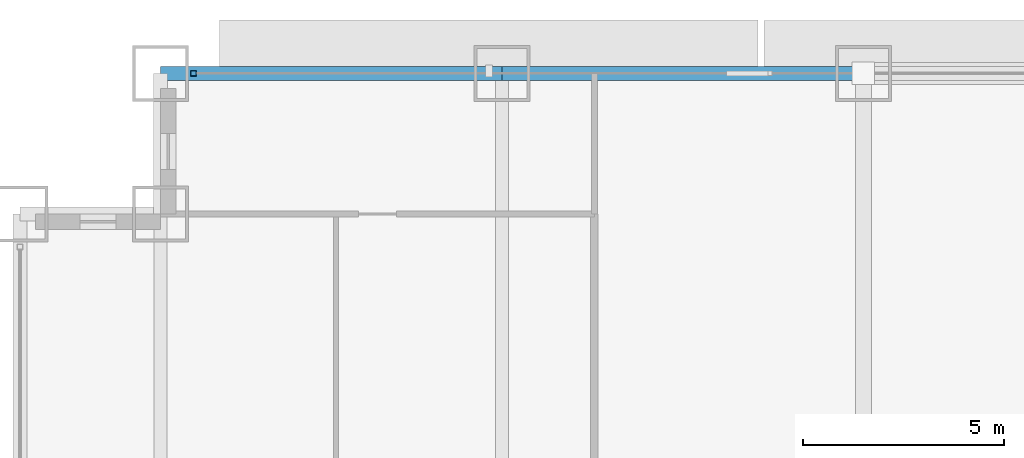
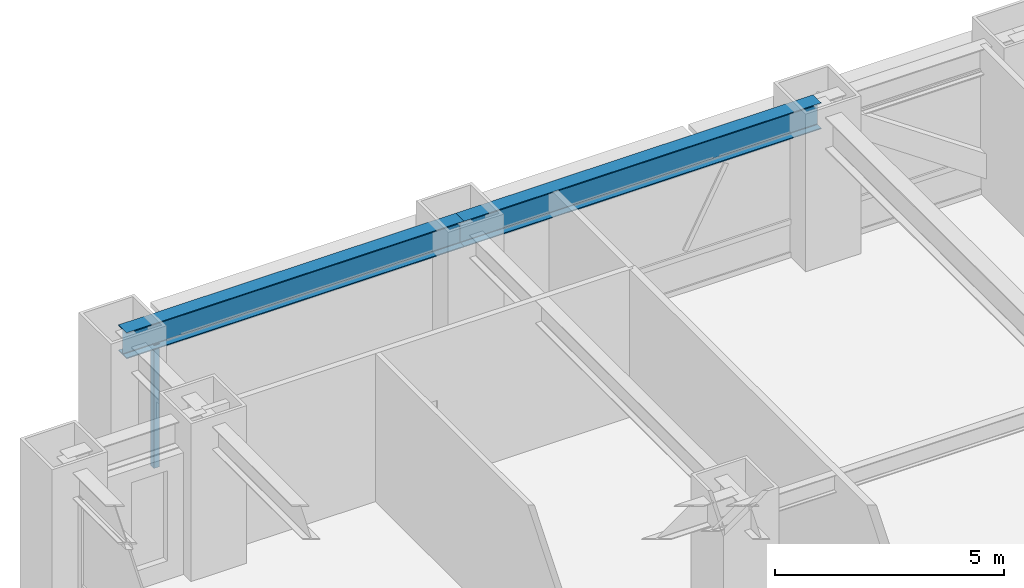
# One storey, part 17 of 32: 2 beams, 1 member, 1 element without a shape of its own.
"""IFC4 building model written with IfcOpenShell, lengths in metres."""

from ifc_helpers import new_model, si_unit, direction, frame, origin, origin_2d, place, context, subcontext, project, spatial, hollow_rectangle, i_section, extrude, source, transform, mapped, material, material_profile, profile_set, type_object, element, aggregate, save


model = new_model("IFC4")

# Units and contexts
model_context = context("Model", 3, precision=1e-05, world=origin(), true_north=direction((0.0, 1.0)))
body_context = subcontext(model_context, "Body", "Model", "MODEL_VIEW")
ifc_project = project(units=[si_unit("LENGTHUNIT", "METRE"), si_unit("AREAUNIT", "SQUARE_METRE"), si_unit("VOLUMEUNIT", "CUBIC_METRE"), si_unit("PLANEANGLEUNIT", "RADIAN"), si_unit("MASSUNIT", "GRAM", prefix="KILO")], contexts=[model_context])

# Site, building, storey
site_placement = place(None, origin())
site = spatial("IfcSite", under=ifc_project, at=site_placement, CompositionType="ELEMENT")
building_placement = place(site_placement, origin())
building = spatial("IfcBuilding", under=site, at=building_placement, Name="Khorayat Bourse Tower", CompositionType="ELEMENT")
storey_placement = place(building_placement, frame((0.0, 0.0, 70.39990234375)))
storey = spatial("IfcBuildingStorey", under=building, at=storey_placement, Name="L15", CompositionType="ELEMENT", Elevation=70.39990234375)

# Beams
ifc_material_1 = material(Name="Steel ASTM A992 Grade 50", Category="steel")
ifc_material_profile_1 = material_profile(ifc_material_1, i_section(OverallWidth=0.35498046875, OverallDepth=0.695068359375, WebThickness=0.015380859375, FlangeThickness=0.02490234375, FilletRadius=0.01806640625, at=origin_2d()), Name="W690X217")
ifc_profile_set_1 = profile_set([ifc_material_profile_1], Name="Steel ASTM A992 Grade 50")
beam_type = type_object("IfcBeamType", Name="BM-SPAN-690", PredefinedType="SPANDREL", material=ifc_profile_set_1)
shared_shape_1 = source(origin(), body_context, "Body", "SweptSolid", [
    extrude(i_section(OverallWidth=0.35498046875, OverallDepth=0.695068359375, WebThickness=0.015380859375, FlangeThickness=0.02490234375, FilletRadius=0.01806640625, at=origin_2d()), origin(), (0.0, 0.0, 1.0), 8.5),
])
beam_1_placement = place(storey_placement, frame((-28.5, 32.0, 3.592529296875), z_axis=(1.0, 0.0, 0.0), x_axis=(0.0, 1.0, 0.0)))
element("IfcBeam", 1, at=beam_1_placement, inside=storey, type_object=beam_type, Name="L15 BM-SPAN-690 BM-L15-SPN-051", PredefinedType="SPANDREL", context=body_context, shape_type="MappedRepresentation", body=[
    mapped(shared_shape_1, transform((0.0, 0.0, 0.0), scale=1.0)),
])
shared_shape_2 = source(origin(), body_context, "Body", "SweptSolid", [
    extrude(i_section(OverallWidth=0.35498046875, OverallDepth=0.695068359375, WebThickness=0.015380859375, FlangeThickness=0.02490234375, FilletRadius=0.01806640625, at=origin_2d()), origin(), (0.0, 0.0, 1.0), 9.0),
])
beam_2_placement = place(storey_placement, frame((-20.0, 32.0, 3.592529296875), z_axis=(1.0, 0.0, 0.0), x_axis=(0.0, 1.0, 0.0)))
element("IfcBeam", 2, at=beam_2_placement, inside=storey, type_object=beam_type, Name="L15 BM-SPAN-690 BM-L15-SPN-050", PredefinedType="SPANDREL", context=body_context, shape_type="MappedRepresentation", body=[
    mapped(shared_shape_2, transform((0.0, 0.0, 0.0), scale=1.0)),
])

# Curtain wall, member
ifc_material_2 = material(Name="Aluminium EN AW-6063 T6", Category="aluminium")
curtain_wall_type = type_object("IfcCurtainWallType", Name="CW-SYS-02", PredefinedType="NOTDEFINED", material=ifc_material_2)
curtain_wall_placement = place(storey_placement, origin())
curtain_wall = element("IfcCurtainWall", 3, at=curtain_wall_placement, inside=storey, type_object=curtain_wall_type, Name="L15 Curtain Wall CW-L15-N1", PredefinedType="NOTDEFINED")
ifc_material_profile_2 = material_profile(ifc_material_2, hollow_rectangle(XDim=0.139892578125, YDim=0.139892578125, WallThickness=0.006103515625, at=origin_2d()), Name="ALU 140x140x6")
ifc_profile_set_2 = profile_set([ifc_material_profile_2], Name="Aluminium EN AW-6063 T6")
member_type = type_object("IfcMemberType", Name="CWM-VERT-140", PredefinedType="MULLION", material=ifc_profile_set_2)
shared_shape_3 = source(origin(), body_context, "Body", "SweptSolid", [
    extrude(hollow_rectangle(XDim=0.139892578125, YDim=0.139892578125, WallThickness=0.006103515625, at=origin_2d()), origin(), (0.0, 0.0, 1.0), 3.2900390625),
])
member_placement = place(storey_placement, frame((-27.679931640625, 32.0, 0.0), z_axis=(0.0, 0.0, 1.0), x_axis=(0.0, 1.0, 0.0)))
member = element("IfcMember", 4, at=member_placement, type_object=member_type, Name="CW-L15-N1 Vertical Mullion 1", PredefinedType="MULLION", context=body_context, shape_type="MappedRepresentation", body=[
    mapped(shared_shape_3, transform((0.0, 0.0, 0.0), scale=1.0)),
])
aggregate(curtain_wall, [member])

save(model, "model.ifc")
